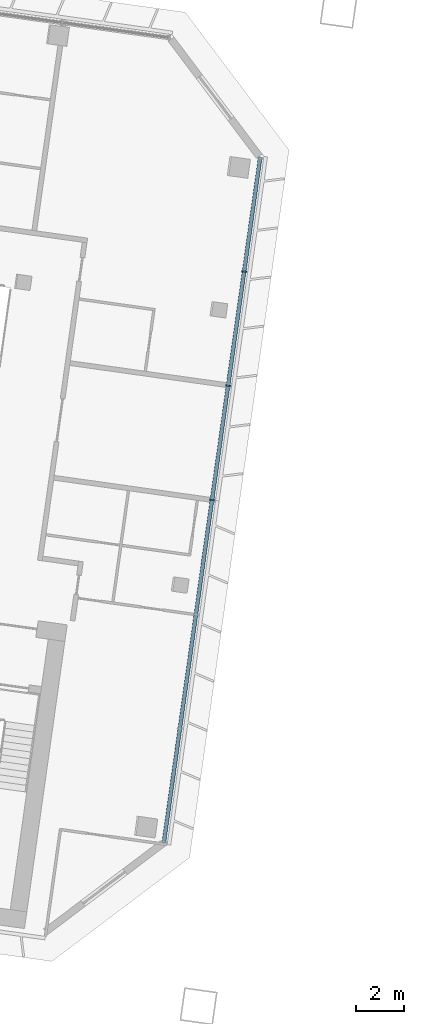
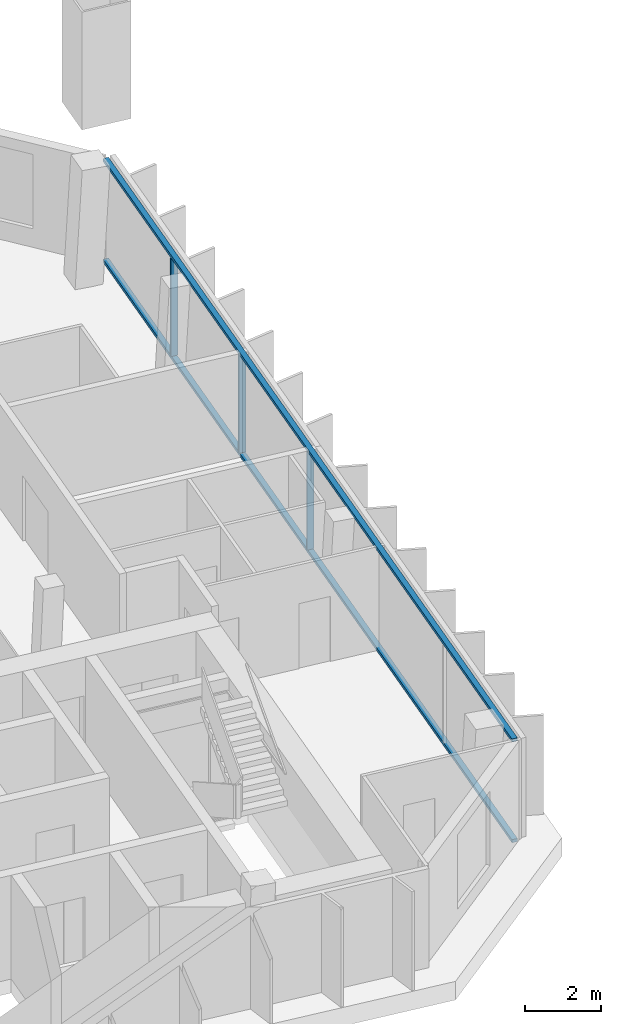
# One storey, part 7 of 32: 5 members, 1 element without a shape of its own.
"""IFC4 building model written with IfcOpenShell, lengths in metres."""

import ifcopenshell
import ifcopenshell.guid

model = None  # the IFC model being written
_history = None  # IfcOwnerHistory: only IFC2X3 demands one
_inside = {}  # id of a spatial element -> (the spatial element, [elements in it])
_under = {}  # id of a project, library or spatial element -> (it, [spatial elements below it])
_declared = {}  # id of a project -> (the project, [libraries it declares])
_typed = {}  # id of a type object -> (the type object, [elements of that type])
_made_of = {}  # id of a material, layer set ... -> (it, [elements and type objects made of it])


def new_model(schema):
    """Start an empty IFC model of exactly this schema.

    Asked for "IFC4X3", IfcOpenShell would pick the latest addendum, in which some entities
    have other attributes; the version numbers below select the first issue.
    IFC2X3 requires an IfcOwnerHistory on every rooted entity: one is made here for all.
    """
    global model, _history
    if schema == "IFC4X3":
        model = ifcopenshell.file(schema_version=(4, 3, 0, 0))
    else:
        model = ifcopenshell.file(schema=schema)
    _inside.clear()
    _under.clear()
    _declared.clear()
    _typed.clear()
    _made_of.clear()
    _history = None
    if model.schema == "IFC2X3":
        org = make("IfcOrganization", Name="unknown")
        user = make(
            "IfcPersonAndOrganization",
            ThePerson=make("IfcPerson", FamilyName="unknown"),
            TheOrganization=org,
        )
        app = make(
            "IfcApplication",
            ApplicationDeveloper=org,
            Version="unknown",
            ApplicationFullName="unknown",
            ApplicationIdentifier="unknown",
        )
        _history = make(
            "IfcOwnerHistory",
            OwningUser=user,
            OwningApplication=app,
            ChangeAction="ADDED",
            CreationDate=0,
        )
    return model


def make(cls, **values):
    """One entity of the class cls with the attributes given. An attribute that is None is left unset."""
    return model.create_entity(
        cls, **{name: value for name, value in values.items() if value is not None}
    )


def rooted(cls, **values):
    """An entity with a GlobalId (a new one), such as an element, a storey or a relation."""
    return make(cls, GlobalId=ifcopenshell.guid.new(), OwnerHistory=_history, **values)


def si_unit(unit_type, name, prefix=None):
    """IfcSIUnit, for example si_unit("LENGTHUNIT", "METRE", prefix="MILLI")."""
    return make("IfcSIUnit", UnitType=unit_type, Prefix=prefix, Name=name)


def assignment(units):
    """IfcUnitAssignment: the units of a project."""
    return None if units is None else make("IfcUnitAssignment", Units=units)


def point(xyz):
    """IfcCartesianPoint."""
    return None if xyz is None else make("IfcCartesianPoint", Coordinates=xyz)


def direction(xyz):
    """IfcDirection."""
    return None if xyz is None else make("IfcDirection", DirectionRatios=xyz)


def frame(location, z_axis=None, x_axis=None):
    """IfcAxis2Placement3D, a coordinate frame: its origin and axes. An axis left out is left unset."""
    return make(
        "IfcAxis2Placement3D",
        Location=point(location),
        Axis=direction(z_axis),
        RefDirection=direction(x_axis),
    )


def frame_2d(location, x_axis=None):
    """IfcAxis2Placement2D, a coordinate frame in the plane: its origin and x axis."""
    return make(
        "IfcAxis2Placement2D", Location=point(location), RefDirection=direction(x_axis)
    )


def origin():
    """The frame at (0, 0, 0) with its axes left unset."""
    return frame((0.0, 0.0, 0.0))


def origin_2d():
    """The frame at (0, 0) in the plane with its x axis left unset."""
    return frame_2d((0.0, 0.0))


def place(relative_to, where):
    """IfcLocalPlacement: puts the frame where relative to a parent placement (None: the world)."""
    return make(
        "IfcLocalPlacement", PlacementRelTo=relative_to, RelativePlacement=where
    )


def context(
    kind, dimensions, precision=None, world=None, true_north=None, identifier=None
):
    """IfcGeometricRepresentationContext, for example the 3D "Model" context."""
    return make(
        "IfcGeometricRepresentationContext",
        ContextIdentifier=identifier,
        ContextType=kind,
        CoordinateSpaceDimension=dimensions,
        Precision=precision,
        WorldCoordinateSystem=world,
        TrueNorth=true_north,
    )


def subcontext(parent, identifier, kind, view, scale=None):
    """IfcGeometricRepresentationSubContext, for example "Body" below "Model"."""
    return make(
        "IfcGeometricRepresentationSubContext",
        ContextIdentifier=identifier,
        ContextType=kind,
        ParentContext=parent,
        TargetScale=scale,
        TargetView=view,
    )


def project(units=None, contexts=None):
    """IfcProject with its units and contexts."""
    return rooted(
        "IfcProject",
        Name="project",
        RepresentationContexts=contexts,
        UnitsInContext=assignment(units),
    )


def spatial(cls, under=None, at=None, **own):
    """A site, building, storey or space (cls), placed at a placement, below another one or the project."""
    s = rooted(cls, ObjectPlacement=at, **own)
    if under is not None:
        _under.setdefault(under.id(), (under, []))[1].append(s)
    return s


def profile(cls, at=None, kind="AREA", **sizes):
    """A parametric profile (cls). Its sizes go by their IFC names, for example OverallWidth=200.0."""
    return make(cls, ProfileType=kind, Position=at, **sizes)


def rectangle(**sizes):
    """IfcRectangleProfileDef."""
    return profile("IfcRectangleProfileDef", **sizes)


def extrude(swept, where, along, depth):
    """IfcExtrudedAreaSolid: the profile swept, set in the frame where, extruded along a direction by depth."""
    return make(
        "IfcExtrudedAreaSolid",
        SweptArea=swept,
        Position=where,
        ExtrudedDirection=direction(along),
        Depth=depth,
    )


def shape(context_of_items, identifier, shape_type, items):
    """IfcShapeRepresentation: the items that make up one representation, for example the "Body"."""
    return make(
        "IfcShapeRepresentation",
        ContextOfItems=context_of_items,
        RepresentationIdentifier=identifier,
        RepresentationType=shape_type,
        Items=items,
    )


def material(Name=None, Category=None):
    """IfcMaterial."""
    return make("IfcMaterial", Name=Name, Category=Category)


def material_profile(
    of_material, cross_section, Name=None, Category=None, Priority=None
):
    """IfcMaterialProfile: a cross section and its material."""
    return make(
        "IfcMaterialProfile",
        Name=Name,
        Material=of_material,
        Profile=cross_section,
        Priority=Priority,
        Category=Category,
    )


def profile_set(profiles, Name=None, composite=None):
    """IfcMaterialProfileSet."""
    return make(
        "IfcMaterialProfileSet",
        Name=Name,
        MaterialProfiles=profiles,
        CompositeProfile=composite,
    )


def made_of(thing, what):
    """Note that an element or type object is made of a material, layer set ...; save() writes the relation."""
    if what is not None:
        _made_of.setdefault(what.id(), (what, []))[1].append(thing)
    return thing


def type_object(cls, material=None, **own):
    """A type object (cls), such as IfcWallType, which elements share."""
    return made_of(rooted(cls, **own), material)


def element(
    cls,
    number,
    at=None,
    inside=None,
    cuts=None,
    type_object=None,
    material=None,
    context=None,
    identifier="Body",
    shape_type=None,
    held_by="IfcProductDefinitionShape",
    body=None,
    shapes=None,
    **own,
):
    """One element of the class cls, such as IfcWall. Its Tag is "e" and its number.

    at: its placement. inside: the storey or other place that contains it. cuts: it is an
    opening in that element (IfcRelVoidsElement). A single representation is given by context,
    identifier, shape_type and body (its items); several are given by shapes. held_by: the class
    of the entity that holds the representations. save() writes the other relations.
    """
    e = rooted(cls, Tag="e%d" % number, ObjectPlacement=at, **own)
    if body is not None:
        shapes = [shape(context, identifier, shape_type, body)]
    if shapes is not None:
        e.Representation = make(held_by, Representations=shapes)
    if inside is not None:
        _inside.setdefault(inside.id(), (inside, []))[1].append(e)
    if cuts is not None:
        rooted(
            "IfcRelVoidsElement", RelatingBuildingElement=cuts, RelatedOpeningElement=e
        )
    if type_object is not None:
        _typed.setdefault(type_object.id(), (type_object, []))[1].append(e)
    return made_of(e, material)


def aggregate(whole, parts):
    """IfcRelAggregates: a whole, such as a stair, and the parts it consists of."""
    return rooted("IfcRelAggregates", RelatingObject=whole, RelatedObjects=parts)


def save(model, path):
    """Write the relations noted so far, then the file.

    IfcRelAggregates (storeys below a building ...), IfcRelContainedInSpatialStructure (elements
    in a storey), IfcRelDefinesByType, IfcRelAssociatesMaterial and IfcRelDeclares: one each for
    every whole, place, type object, material and project.
    """
    for whole, parts in _under.values():
        aggregate(whole, parts)
    for where, things in _inside.values():
        rooted(
            "IfcRelContainedInSpatialStructure",
            RelatedElements=things,
            RelatingStructure=where,
        )
    for kind, things in _typed.values():
        rooted("IfcRelDefinesByType", RelatedObjects=things, RelatingType=kind)
    for what, things in _made_of.values():
        rooted("IfcRelAssociatesMaterial", RelatedObjects=things, RelatingMaterial=what)
    for by, libraries in _declared.values():
        rooted("IfcRelDeclares", RelatingContext=by, RelatedDefinitions=libraries)
    model.write(path)


model = new_model("IFC4")

# Units and contexts
model_context = context("Model", 3, precision=1e-05, world=origin(), true_north=direction((0.0, 1.0)))
body_context = subcontext(model_context, "Body", "Model", "MODEL_VIEW")
ifc_project = project(units=[si_unit("LENGTHUNIT", "METRE"), si_unit("AREAUNIT", "SQUARE_METRE"), si_unit("VOLUMEUNIT", "CUBIC_METRE"), si_unit("PLANEANGLEUNIT", "RADIAN"), si_unit("MASSUNIT", "GRAM", prefix="KILO")], contexts=[model_context])

# Site, building, storey
site_placement = place(None, origin())
site = spatial("IfcSite", under=ifc_project, at=site_placement, CompositionType="ELEMENT")
building_placement = place(site_placement, origin())
building = spatial("IfcBuilding", under=site, at=building_placement, Name="Mirante Cascada Hotel Towers", CompositionType="ELEMENT")
storey_placement = place(building_placement, frame((0.0, 0.0, 176.4)))
storey = spatial("IfcBuildingStorey", under=building, at=storey_placement, Name="L41", CompositionType="ELEMENT", Elevation=176.4)

# Curtain wall, members
ifc_material_1 = material(Name="Aluminium mullion and transom frame with clear laminated glass", Category="aluminium")
curtain_wall_type = type_object("IfcCurtainWallType", Name="End ribbon curtain wall ECW2", PredefinedType="NOTDEFINED", material=ifc_material_1)
curtain_wall_placement = place(storey_placement, origin())
curtain_wall = element("IfcCurtainWall", 1, at=curtain_wall_placement, inside=storey, type_object=curtain_wall_type, Name="Inner end wall T1 L41", PredefinedType="NOTDEFINED")
ifc_material_2 = material(Name="Anodised aluminium extrusion", Category="aluminium")
ifc_material_profile_1 = material_profile(ifc_material_2, rectangle(XDim=0.2, YDim=0.065, at=origin_2d()), Name="ECW2 MULLION 65x200")
ifc_profile_set_1 = profile_set([ifc_material_profile_1], Name="Anodised aluminium extrusion")
member_type_1 = type_object("IfcMemberType", Name="ECW2 mullion 65x200", PredefinedType="MULLION", material=ifc_profile_set_1)
member_1_placement = place(storey_placement, frame((-28.1057, 7.4536, 0.1), z_axis=(0.0, 0.0, 1.0), x_axis=(0.9902681, -0.1391731, 0.0)))
member_1 = element("IfcMember", 2, at=member_1_placement, type_object=member_type_1, Name="ECW2 mullion 2", PredefinedType="MULLION", context=body_context, shape_type="SweptSolid", body=[
    extrude(rectangle(XDim=0.2, YDim=0.065, at=origin_2d()), origin(), (0.0, 0.0, 1.0), 3.15),
])
member_2_placement = place(storey_placement, frame((-28.7755, 2.6878, 0.1), z_axis=(0.0, 0.0, 1.0), x_axis=(0.9902681, -0.1391731, 0.0)))
member_2 = element("IfcMember", 3, at=member_2_placement, type_object=member_type_1, Name="ECW2 mullion 3", PredefinedType="MULLION", context=body_context, shape_type="SweptSolid", body=[
    extrude(rectangle(XDim=0.2, YDim=0.065, at=origin_2d()), origin(), (0.0, 0.0, 1.0), 3.15),
])
member_3_placement = place(storey_placement, frame((-29.4453, -2.078, 0.1), z_axis=(0.0, 0.0, 1.0), x_axis=(0.9902681, -0.1391731, 0.0)))
member_3 = element("IfcMember", 4, at=member_3_placement, type_object=member_type_1, Name="ECW2 mullion 4", PredefinedType="MULLION", context=body_context, shape_type="SweptSolid", body=[
    extrude(rectangle(XDim=0.2, YDim=0.065, at=origin_2d()), origin(), (0.0, 0.0, 1.0), 3.15),
])
ifc_material_3 = material(Name="Anodised aluminium extrusion", Category="aluminium")
ifc_material_profile_2 = material_profile(ifc_material_3, rectangle(XDim=0.16, YDim=0.1, at=origin_2d()), Name="ECW2 TRANSOM 100x160")
ifc_profile_set_2 = profile_set([ifc_material_profile_2], Name="Anodised aluminium extrusion")
member_type_2 = type_object("IfcMemberType", Name="ECW2 transom 100x160", PredefinedType="USERDEFINED", material=ifc_profile_set_2)
member_4_placement = place(storey_placement, frame((-27.4359, 12.2194, 0.05), z_axis=(-0.1391723, -0.9902682, 0.0), x_axis=(0.9902682, -0.1391723, 0.0)))
member_4 = element("IfcMember", 5, at=member_4_placement, type_object=member_type_2, Name="ECW2 sill transom", ObjectType="TRANSOM", PredefinedType="USERDEFINED", context=body_context, shape_type="SweptSolid", body=[
    extrude(rectangle(XDim=0.16, YDim=0.1, at=origin_2d()), origin(), (0.0, 0.0, 1.0), 28.8757),
])
member_5_placement = place(storey_placement, frame((-27.4359, 12.2194, 3.3), z_axis=(-0.1391723, -0.9902682, 0.0), x_axis=(0.9902682, -0.1391723, 0.0)))
member_5 = element("IfcMember", 6, at=member_5_placement, type_object=member_type_2, Name="ECW2 head transom", ObjectType="TRANSOM", PredefinedType="USERDEFINED", context=body_context, shape_type="SweptSolid", body=[
    extrude(rectangle(XDim=0.16, YDim=0.1, at=origin_2d()), origin(), (0.0, 0.0, 1.0), 28.8757),
])
aggregate(curtain_wall, [member_4, member_5, member_1, member_2, member_3])

save(model, "model.ifc")
